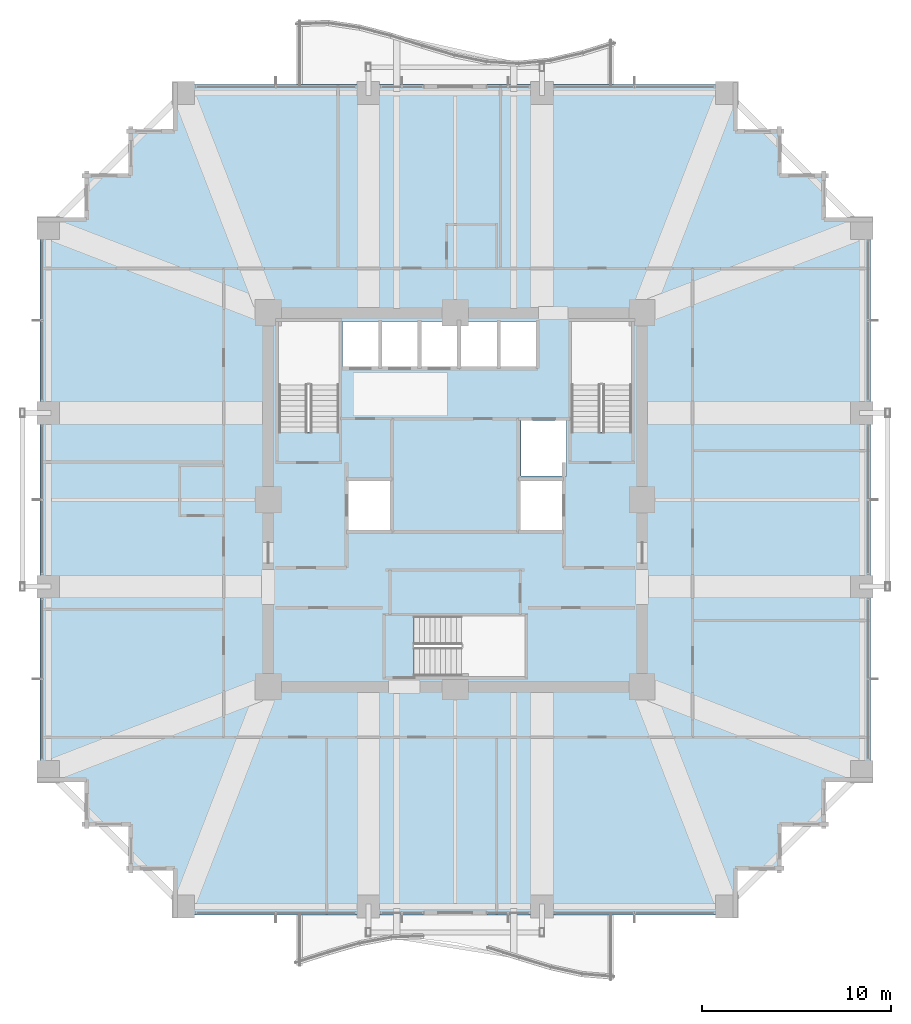
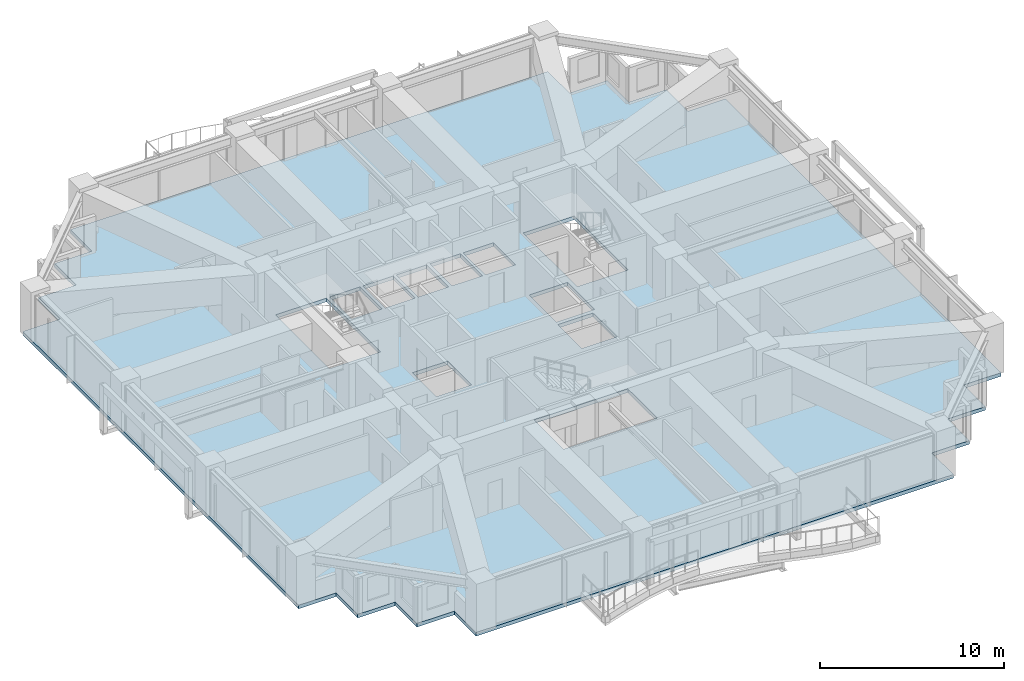
# One storey, part 27 of 37: 1 slab.
"""IFC4 building model written with IfcOpenShell, lengths in metres."""

from ifc_helpers import new_model, si_unit, direction, frame, origin, place, context, subcontext, project, spatial, polyline, outline, extrude, material, layer, layer_set, type_object, element, save


model = new_model("IFC4")

# Units and contexts
model_context = context("Model", 3, precision=1e-05, world=origin(), true_north=direction((0.0, 1.0)))
body_context = subcontext(model_context, "Body", "Model", "MODEL_VIEW")
ifc_project = project(units=[si_unit("LENGTHUNIT", "METRE"), si_unit("AREAUNIT", "SQUARE_METRE"), si_unit("VOLUMEUNIT", "CUBIC_METRE"), si_unit("PLANEANGLEUNIT", "RADIAN"), si_unit("MASSUNIT", "GRAM", prefix="KILO")], contexts=[model_context])

# Site, building, storey
site_placement = place(None, origin())
site = spatial("IfcSite", under=ifc_project, at=site_placement, CompositionType="ELEMENT")
building_placement = place(site_placement, origin())
building = spatial("IfcBuilding", under=site, at=building_placement, Name="Kolvaren Belvedere", CompositionType="ELEMENT")
storey_placement = place(building_placement, frame((0.0, 0.0, 56.800048828125)))
storey = spatial("IfcBuildingStorey", under=building, at=storey_placement, Name="L16", CompositionType="ELEMENT", Elevation=56.800048828125)

# Slab
ifc_material = material(Name="Concrete C50/60", Category="concrete")
ifc_layer = layer(ifc_material, 0.239990234375)
ifc_layer_set = layer_set([ifc_layer], Name="Concrete C50/60")
slab_type = type_object("IfcSlabType", Name="SL-FLR-240", PredefinedType="FLOOR", material=ifc_layer_set)
slab_placement = place(storey_placement, frame((0.0, 0.0, -0.239990234375)))
element("IfcSlab", 1, at=slab_placement, inside=storey, type_object=slab_type, Name="L16 Primary Structural Slab", PredefinedType="FLOOR", context=body_context, shape_type="SweptSolid", body=[
    extrude(outline(polyline([(-14.949951171875, -22.0), (14.949951171875, -22.0), (14.949951171875, -19.64990234375), (17.300048828125, -19.64990234375), (17.300048828125, -17.300048828125), (19.64990234375, -17.300048828125), (19.64990234375, -14.949951171875), (22.0, -14.949951171875), (22.0, 14.949951171875), (19.64990234375, 14.949951171875), (19.64990234375, 17.300048828125), (17.300048828125, 17.300048828125), (17.300048828125, 19.64990234375), (14.949951171875, 19.64990234375), (14.949951171875, 22.0), (-14.949951171875, 22.0), (-14.949951171875, 19.64990234375), (-17.300048828125, 19.64990234375), (-17.300048828125, 17.300048828125), (-19.64990234375, 17.300048828125), (-19.64990234375, 14.949951171875), (-22.0, 14.949951171875), (-22.0, -14.949951171875), (-19.64990234375, -14.949951171875), (-19.64990234375, -17.300048828125), (-17.300048828125, -17.300048828125), (-17.300048828125, -19.64990234375), (-14.949951171875, -19.64990234375), (-14.949951171875, -22.0)]), holes=[polyline([(-9.35009765625, 3.580078125), (-6.159912109375, 3.580078125), (-6.159912109375, 9.449951171875), (-9.35009765625, 9.449951171875), (-9.35009765625, 3.580078125)]), polyline([(6.159912109375, 3.580078125), (9.35009765625, 3.580078125), (9.35009765625, 9.449951171875), (6.159912109375, 9.449951171875), (6.159912109375, 3.580078125)]), polyline([(-2.169921875, -9.35009765625), (3.699951171875, -9.35009765625), (3.699951171875, -6.159912109375), (-2.169921875, -6.159912109375), (-2.169921875, -9.35009765625)]), polyline([(-5.64990234375, -1.60009765625), (-3.449951171875, -1.60009765625), (-3.449951171875, 1.0), (-5.64990234375, 1.0), (-5.64990234375, -1.60009765625)]), polyline([(3.5, 1.25), (5.89990234375, 1.25), (5.89990234375, 4.199951171875), (3.5, 4.199951171875), (3.5, 1.25)]), polyline([(3.449951171875, -1.60009765625), (5.64990234375, -1.60009765625), (5.64990234375, 1.0), (3.449951171875, 1.0), (3.449951171875, -1.60009765625)]), polyline([(-5.9599609375, 7.050048828125), (-4.06005859375, 7.050048828125), (-4.06005859375, 9.449951171875), (-5.9599609375, 9.449951171875), (-5.9599609375, 7.050048828125)]), polyline([(-3.8798828125, 7.050048828125), (-1.97998046875, 7.050048828125), (-1.97998046875, 9.449951171875), (-3.8798828125, 9.449951171875), (-3.8798828125, 7.050048828125)]), polyline([(-1.800048828125, 7.050048828125), (0.10009765625, 7.050048828125), (0.10009765625, 9.449951171875), (-1.800048828125, 9.449951171875), (-1.800048828125, 7.050048828125)]), polyline([(0.320068359375, 7.050048828125), (2.219970703125, 7.050048828125), (2.219970703125, 9.449951171875), (0.320068359375, 9.449951171875), (0.320068359375, 7.050048828125)]), polyline([(2.39990234375, 7.050048828125), (4.300048828125, 7.050048828125), (4.300048828125, 9.449951171875), (2.39990234375, 9.449951171875), (2.39990234375, 7.050048828125)])]), origin(), (0.0, 0.0, 1.0), 0.239990234375),
])

save(model, "model.ifc")
